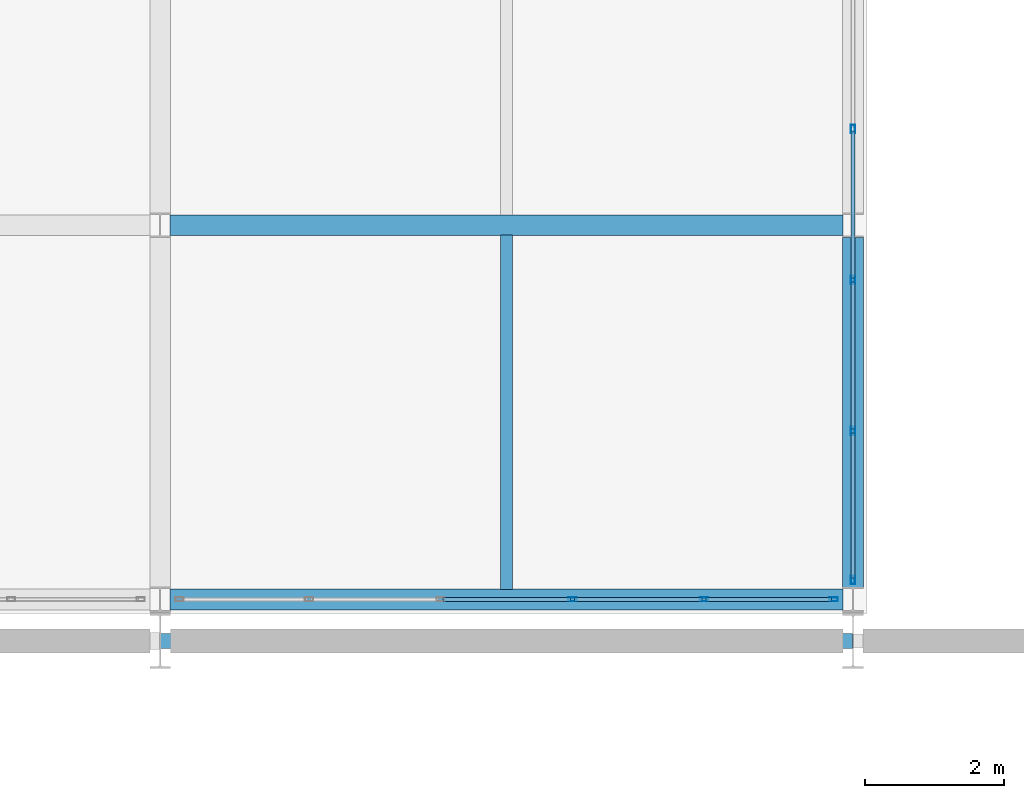
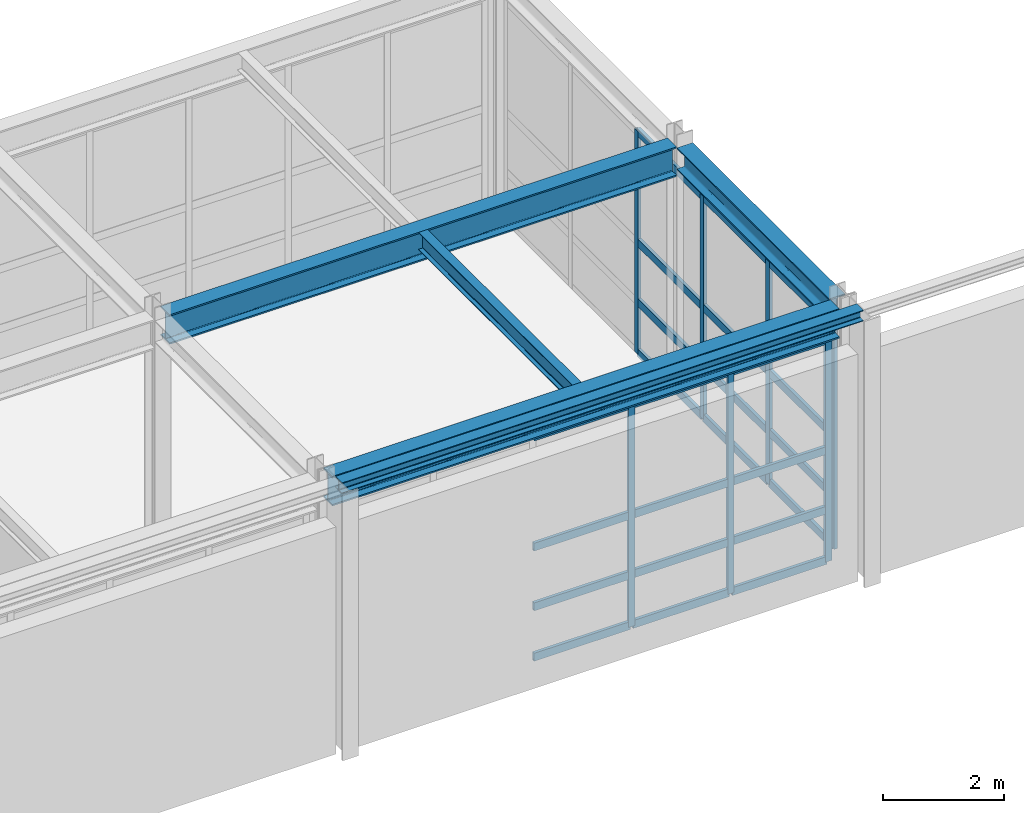
# One storey, part 123 of 210: 31 members, 5 beams, 2 elements without a shape of their own.
"""IFC4 building model written with IfcOpenShell, lengths in metres."""

from ifc_helpers import new_model, si_unit, direction, frame, origin, origin_2d, place, context, subcontext, project, spatial, hollow_rectangle, i_section, extrude, material, material_profile, profile_set, type_object, element, aggregate, save


model = new_model("IFC4")

# Units and contexts
model_context = context("Model", 3, precision=1e-05, world=origin(), true_north=direction((0.0, 1.0)))
body_context = subcontext(model_context, "Body", "Model", "MODEL_VIEW")
ifc_project = project(units=[si_unit("LENGTHUNIT", "METRE"), si_unit("AREAUNIT", "SQUARE_METRE"), si_unit("VOLUMEUNIT", "CUBIC_METRE"), si_unit("PLANEANGLEUNIT", "RADIAN"), si_unit("MASSUNIT", "GRAM", prefix="KILO")], contexts=[model_context])

# Site, building, storey
site_placement = place(None, origin())
site = spatial("IfcSite", under=ifc_project, at=site_placement, CompositionType="ELEMENT")
building_placement = place(site_placement, origin())
building = spatial("IfcBuilding", under=site, at=building_placement, Name="Kaldris Quays Convention Centre", CompositionType="ELEMENT")
storey_placement = place(building_placement, frame((0.0, 0.0, 6.0)))
storey = spatial("IfcBuildingStorey", under=building, at=storey_placement, Name="L01", CompositionType="ELEMENT", Elevation=6.0)

# Curtain wall, members
ifc_material_1 = material(Name="Anodized aluminium AW-6060 and triple glazing", Category="aluminium")
curtain_wall_type = type_object("IfcCurtainWallType", Name="UNITISED CURTAIN WALL CW06", PredefinedType="NOTDEFINED", material=ifc_material_1)
curtain_wall_1_placement = place(storey_placement, origin())
curtain_wall_1 = element("IfcCurtainWall", 1, at=curtain_wall_1_placement, inside=storey, type_object=curtain_wall_type, Name="L01 Unitised Curtain Wall CW06 164", PredefinedType="NOTDEFINED")
ifc_material_2 = material(Name="Anodized aluminium AW-6060", Category="aluminium")
ifc_material_profile_1 = material_profile(ifc_material_2, hollow_rectangle(XDim=0.06005859375, YDim=0.1201171875, WallThickness=0.00390625, at=origin_2d()), Name="RHS 120x60x4")
ifc_profile_set_1 = profile_set([ifc_material_profile_1], Name="Anodized aluminium AW-6060")
member_type_1 = type_object("IfcMemberType", Name="CURTAIN MULLION CWM3", PredefinedType="MULLION", material=ifc_profile_set_1)
member_1_placement = place(storey_placement, frame((189.949951171875, 104.60009765625, 0.0), z_axis=(0.0, 0.0, 1.0), x_axis=(0.0, 1.0, 0.0)))
member_1 = element("IfcMember", 2, at=member_1_placement, type_object=member_type_1, Name="CW06 mullion 4", PredefinedType="MULLION", context=body_context, shape_type="SweptSolid", body=[
    extrude(hollow_rectangle(XDim=0.06005859375, YDim=0.1201171875, WallThickness=0.00390625, at=origin_2d()), origin(), (0.0, 0.0, 1.0), 4.51806640625),
])
member_2_placement = place(storey_placement, frame((191.85009765625, 104.60009765625, 0.0), z_axis=(0.0, 0.0, 1.0), x_axis=(0.0, 1.0, 0.0)))
member_2 = element("IfcMember", 3, at=member_2_placement, type_object=member_type_1, Name="CW06 mullion 5", PredefinedType="MULLION", context=body_context, shape_type="SweptSolid", body=[
    extrude(hollow_rectangle(XDim=0.06005859375, YDim=0.1201171875, WallThickness=0.00390625, at=origin_2d()), origin(), (0.0, 0.0, 1.0), 4.51806640625),
])
member_3_placement = place(storey_placement, frame((193.719970703125, 104.60009765625, 0.0), z_axis=(0.0, 0.0, 1.0), x_axis=(0.0, 1.0, 0.0)))
member_3 = element("IfcMember", 4, at=member_3_placement, type_object=member_type_1, Name="CW06 mullion 6", PredefinedType="MULLION", context=body_context, shape_type="SweptSolid", body=[
    extrude(hollow_rectangle(XDim=0.06005859375, YDim=0.1201171875, WallThickness=0.00390625, at=origin_2d()), origin(), (0.0, 0.0, 1.0), 4.51806640625),
])

curtain_wall_2_placement = place(storey_placement, origin())
curtain_wall_2 = element("IfcCurtainWall", 5, at=curtain_wall_2_placement, inside=storey, type_object=curtain_wall_type, Name="L01 Unitised Curtain Wall CW06 165", PredefinedType="NOTDEFINED")
member_4_placement = place(storey_placement, frame((194.0, 104.8798828125, 0.0), z_axis=(0.0, 0.0, 1.0), x_axis=(-1.0, 0.0, 0.0)))
member_4 = element("IfcMember", 6, at=member_4_placement, type_object=member_type_1, Name="CW06 mullion 1", PredefinedType="MULLION", context=body_context, shape_type="SweptSolid", body=[
    extrude(hollow_rectangle(XDim=0.06005859375, YDim=0.1201171875, WallThickness=0.00390625, at=origin_2d()), origin(), (0.0, 0.0, 1.0), 4.51806640625),
])
member_5_placement = place(storey_placement, frame((194.0, 107.030029296875, 0.0), z_axis=(0.0, 0.0, 1.0), x_axis=(-1.0, 0.0, 0.0)))
member_5 = element("IfcMember", 7, at=member_5_placement, type_object=member_type_1, Name="CW06 mullion 2", PredefinedType="MULLION", context=body_context, shape_type="SweptSolid", body=[
    extrude(hollow_rectangle(XDim=0.06005859375, YDim=0.1201171875, WallThickness=0.00390625, at=origin_2d()), origin(), (0.0, 0.0, 1.0), 4.51806640625),
])
member_6_placement = place(storey_placement, frame((194.0, 109.2099609375, 0.0), z_axis=(0.0, 0.0, 1.0), x_axis=(-1.0, 0.0, 0.0)))
member_6 = element("IfcMember", 8, at=member_6_placement, type_object=member_type_1, Name="CW06 mullion 3", PredefinedType="MULLION", context=body_context, shape_type="SweptSolid", body=[
    extrude(hollow_rectangle(XDim=0.06005859375, YDim=0.1201171875, WallThickness=0.00390625, at=origin_2d()), origin(), (0.0, 0.0, 1.0), 4.51806640625),
])
member_7_placement = place(storey_placement, frame((194.0, 111.389892578125, 0.0), z_axis=(0.0, 0.0, 1.0), x_axis=(-1.0, 0.0, 0.0)))
member_7 = element("IfcMember", 9, at=member_7_placement, type_object=member_type_1, Name="CW06 mullion 4", PredefinedType="MULLION", context=body_context, shape_type="SweptSolid", body=[
    extrude(hollow_rectangle(XDim=0.06005859375, YDim=0.1201171875, WallThickness=0.00390625, at=origin_2d()), origin(), (0.0, 0.0, 1.0), 4.51806640625),
])

# Member
ifc_material_profile_2 = material_profile(ifc_material_2, hollow_rectangle(XDim=0.06005859375, YDim=0.159912109375, WallThickness=0.00390625, at=origin_2d()), Name="RHS 160x60x4")
ifc_profile_set_2 = profile_set([ifc_material_profile_2], Name="Anodized aluminium AW-6060")
member_type_2 = type_object("IfcMemberType", Name="CURTAIN TRANSOM CWT2", PredefinedType="USERDEFINED", material=ifc_profile_set_2)
member_8_placement = place(storey_placement, frame((188.080078125, 104.60009765625, 0.030029296875), z_axis=(1.0, 0.0, 0.0), x_axis=(0.0, 1.0, 0.0)))
member_8 = element("IfcMember", 10, at=member_8_placement, type_object=member_type_2, Name="CW06 transom 3.1", ObjectType="TRANSOM", PredefinedType="USERDEFINED", context=body_context, shape_type="SweptSolid", body=[
    extrude(hollow_rectangle(XDim=0.06005859375, YDim=0.159912109375, WallThickness=0.00390625, at=origin_2d()), origin(), (0.0, 0.0, 1.0), 1.83984375),
])

member_9_placement = place(storey_placement, frame((188.080078125, 104.60009765625, 1.050048828125), z_axis=(1.0, 0.0, 0.0), x_axis=(0.0, 1.0, 0.0)))
member_9 = element("IfcMember", 11, at=member_9_placement, type_object=member_type_2, Name="CW06 transom 3.2", ObjectType="TRANSOM", PredefinedType="USERDEFINED", context=body_context, shape_type="SweptSolid", body=[
    extrude(hollow_rectangle(XDim=0.06005859375, YDim=0.159912109375, WallThickness=0.00390625, at=origin_2d()), origin(), (0.0, 0.0, 1.0), 1.83984375),
])

member_10_placement = place(storey_placement, frame((188.080078125, 104.60009765625, 2.259033203125), z_axis=(1.0, 0.0, 0.0), x_axis=(0.0, 1.0, 0.0)))
member_10 = element("IfcMember", 12, at=member_10_placement, type_object=member_type_2, Name="CW06 transom 3.3", ObjectType="TRANSOM", PredefinedType="USERDEFINED", context=body_context, shape_type="SweptSolid", body=[
    extrude(hollow_rectangle(XDim=0.06005859375, YDim=0.159912109375, WallThickness=0.00390625, at=origin_2d()), origin(), (0.0, 0.0, 1.0), 1.83984375),
])

member_11_placement = place(storey_placement, frame((188.080078125, 104.60009765625, 4.488037109375), z_axis=(1.0, 0.0, 0.0), x_axis=(0.0, 1.0, 0.0)))
member_11 = element("IfcMember", 13, at=member_11_placement, type_object=member_type_2, Name="CW06 transom 3.4", ObjectType="TRANSOM", PredefinedType="USERDEFINED", context=body_context, shape_type="SweptSolid", body=[
    extrude(hollow_rectangle(XDim=0.06005859375, YDim=0.159912109375, WallThickness=0.00390625, at=origin_2d()), origin(), (0.0, 0.0, 1.0), 1.83984375),
])

member_12_placement = place(storey_placement, frame((189.97998046875, 104.60009765625, 0.030029296875), z_axis=(1.0, 0.0, 0.0), x_axis=(0.0, 1.0, 0.0)))
member_12 = element("IfcMember", 14, at=member_12_placement, type_object=member_type_2, Name="CW06 transom 4.1", ObjectType="TRANSOM", PredefinedType="USERDEFINED", context=body_context, shape_type="SweptSolid", body=[
    extrude(hollow_rectangle(XDim=0.06005859375, YDim=0.159912109375, WallThickness=0.00390625, at=origin_2d()), origin(), (0.0, 0.0, 1.0), 1.840087890625),
])

member_13_placement = place(storey_placement, frame((189.97998046875, 104.60009765625, 1.050048828125), z_axis=(1.0, 0.0, 0.0), x_axis=(0.0, 1.0, 0.0)))
member_13 = element("IfcMember", 15, at=member_13_placement, type_object=member_type_2, Name="CW06 transom 4.2", ObjectType="TRANSOM", PredefinedType="USERDEFINED", context=body_context, shape_type="SweptSolid", body=[
    extrude(hollow_rectangle(XDim=0.06005859375, YDim=0.159912109375, WallThickness=0.00390625, at=origin_2d()), origin(), (0.0, 0.0, 1.0), 1.840087890625),
])

member_14_placement = place(storey_placement, frame((189.97998046875, 104.60009765625, 2.259033203125), z_axis=(1.0, 0.0, 0.0), x_axis=(0.0, 1.0, 0.0)))
member_14 = element("IfcMember", 16, at=member_14_placement, type_object=member_type_2, Name="CW06 transom 4.3", ObjectType="TRANSOM", PredefinedType="USERDEFINED", context=body_context, shape_type="SweptSolid", body=[
    extrude(hollow_rectangle(XDim=0.06005859375, YDim=0.159912109375, WallThickness=0.00390625, at=origin_2d()), origin(), (0.0, 0.0, 1.0), 1.840087890625),
])

member_15_placement = place(storey_placement, frame((189.97998046875, 104.60009765625, 4.488037109375), z_axis=(1.0, 0.0, 0.0), x_axis=(0.0, 1.0, 0.0)))
member_15 = element("IfcMember", 17, at=member_15_placement, type_object=member_type_2, Name="CW06 transom 4.4", ObjectType="TRANSOM", PredefinedType="USERDEFINED", context=body_context, shape_type="SweptSolid", body=[
    extrude(hollow_rectangle(XDim=0.06005859375, YDim=0.159912109375, WallThickness=0.00390625, at=origin_2d()), origin(), (0.0, 0.0, 1.0), 1.840087890625),
])

member_16_placement = place(storey_placement, frame((191.8798828125, 104.60009765625, 0.030029296875), z_axis=(1.0, 0.0, 0.0), x_axis=(0.0, 1.0, 0.0)))
member_16 = element("IfcMember", 18, at=member_16_placement, type_object=member_type_2, Name="CW06 transom 5.1", ObjectType="TRANSOM", PredefinedType="USERDEFINED", context=body_context, shape_type="SweptSolid", body=[
    extrude(hollow_rectangle(XDim=0.06005859375, YDim=0.159912109375, WallThickness=0.00390625, at=origin_2d()), origin(), (0.0, 0.0, 1.0), 1.81005859375),
])

member_17_placement = place(storey_placement, frame((191.8798828125, 104.60009765625, 1.050048828125), z_axis=(1.0, 0.0, 0.0), x_axis=(0.0, 1.0, 0.0)))
member_17 = element("IfcMember", 19, at=member_17_placement, type_object=member_type_2, Name="CW06 transom 5.2", ObjectType="TRANSOM", PredefinedType="USERDEFINED", context=body_context, shape_type="SweptSolid", body=[
    extrude(hollow_rectangle(XDim=0.06005859375, YDim=0.159912109375, WallThickness=0.00390625, at=origin_2d()), origin(), (0.0, 0.0, 1.0), 1.81005859375),
])

member_18_placement = place(storey_placement, frame((191.8798828125, 104.60009765625, 2.259033203125), z_axis=(1.0, 0.0, 0.0), x_axis=(0.0, 1.0, 0.0)))
member_18 = element("IfcMember", 20, at=member_18_placement, type_object=member_type_2, Name="CW06 transom 5.3", ObjectType="TRANSOM", PredefinedType="USERDEFINED", context=body_context, shape_type="SweptSolid", body=[
    extrude(hollow_rectangle(XDim=0.06005859375, YDim=0.159912109375, WallThickness=0.00390625, at=origin_2d()), origin(), (0.0, 0.0, 1.0), 1.81005859375),
])

member_19_placement = place(storey_placement, frame((191.8798828125, 104.60009765625, 4.488037109375), z_axis=(1.0, 0.0, 0.0), x_axis=(0.0, 1.0, 0.0)))
member_19 = element("IfcMember", 21, at=member_19_placement, type_object=member_type_2, Name="CW06 transom 5.4", ObjectType="TRANSOM", PredefinedType="USERDEFINED", context=body_context, shape_type="SweptSolid", body=[
    extrude(hollow_rectangle(XDim=0.06005859375, YDim=0.159912109375, WallThickness=0.00390625, at=origin_2d()), origin(), (0.0, 0.0, 1.0), 1.81005859375),
])

aggregate(curtain_wall_1, [member_1, member_2, member_3, member_8, member_9, member_10, member_11, member_12, member_13, member_14, member_15, member_16, member_17, member_18, member_19])

member_20_placement = place(storey_placement, frame((194.0, 104.909912109375, 0.030029296875), z_axis=(0.0, 1.0, 0.0), x_axis=(-1.0, 0.0, 0.0)))
member_20 = element("IfcMember", 22, at=member_20_placement, type_object=member_type_2, Name="CW06 transom 1.1", ObjectType="TRANSOM", PredefinedType="USERDEFINED", context=body_context, shape_type="SweptSolid", body=[
    extrude(hollow_rectangle(XDim=0.06005859375, YDim=0.159912109375, WallThickness=0.00390625, at=origin_2d()), origin(), (0.0, 0.0, 1.0), 2.090087890625),
])

member_21_placement = place(storey_placement, frame((194.0, 104.909912109375, 1.050048828125), z_axis=(0.0, 1.0, 0.0), x_axis=(-1.0, 0.0, 0.0)))
member_21 = element("IfcMember", 23, at=member_21_placement, type_object=member_type_2, Name="CW06 transom 1.2", ObjectType="TRANSOM", PredefinedType="USERDEFINED", context=body_context, shape_type="SweptSolid", body=[
    extrude(hollow_rectangle(XDim=0.06005859375, YDim=0.159912109375, WallThickness=0.00390625, at=origin_2d()), origin(), (0.0, 0.0, 1.0), 2.090087890625),
])

member_22_placement = place(storey_placement, frame((194.0, 104.909912109375, 2.259033203125), z_axis=(0.0, 1.0, 0.0), x_axis=(-1.0, 0.0, 0.0)))
member_22 = element("IfcMember", 24, at=member_22_placement, type_object=member_type_2, Name="CW06 transom 1.3", ObjectType="TRANSOM", PredefinedType="USERDEFINED", context=body_context, shape_type="SweptSolid", body=[
    extrude(hollow_rectangle(XDim=0.06005859375, YDim=0.159912109375, WallThickness=0.00390625, at=origin_2d()), origin(), (0.0, 0.0, 1.0), 2.090087890625),
])

member_23_placement = place(storey_placement, frame((194.0, 104.909912109375, 4.488037109375), z_axis=(0.0, 1.0, 0.0), x_axis=(-1.0, 0.0, 0.0)))
member_23 = element("IfcMember", 25, at=member_23_placement, type_object=member_type_2, Name="CW06 transom 1.4", ObjectType="TRANSOM", PredefinedType="USERDEFINED", context=body_context, shape_type="SweptSolid", body=[
    extrude(hollow_rectangle(XDim=0.06005859375, YDim=0.159912109375, WallThickness=0.00390625, at=origin_2d()), origin(), (0.0, 0.0, 1.0), 2.090087890625),
])

member_24_placement = place(storey_placement, frame((194.0, 107.06005859375, 0.030029296875), z_axis=(0.0, 1.0, 0.0), x_axis=(-1.0, 0.0, 0.0)))
member_24 = element("IfcMember", 26, at=member_24_placement, type_object=member_type_2, Name="CW06 transom 2.1", ObjectType="TRANSOM", PredefinedType="USERDEFINED", context=body_context, shape_type="SweptSolid", body=[
    extrude(hollow_rectangle(XDim=0.06005859375, YDim=0.159912109375, WallThickness=0.00390625, at=origin_2d()), origin(), (0.0, 0.0, 1.0), 2.119873046875),
])

member_25_placement = place(storey_placement, frame((194.0, 107.06005859375, 1.050048828125), z_axis=(0.0, 1.0, 0.0), x_axis=(-1.0, 0.0, 0.0)))
member_25 = element("IfcMember", 27, at=member_25_placement, type_object=member_type_2, Name="CW06 transom 2.2", ObjectType="TRANSOM", PredefinedType="USERDEFINED", context=body_context, shape_type="SweptSolid", body=[
    extrude(hollow_rectangle(XDim=0.06005859375, YDim=0.159912109375, WallThickness=0.00390625, at=origin_2d()), origin(), (0.0, 0.0, 1.0), 2.119873046875),
])

member_26_placement = place(storey_placement, frame((194.0, 107.06005859375, 2.259033203125), z_axis=(0.0, 1.0, 0.0), x_axis=(-1.0, 0.0, 0.0)))
member_26 = element("IfcMember", 28, at=member_26_placement, type_object=member_type_2, Name="CW06 transom 2.3", ObjectType="TRANSOM", PredefinedType="USERDEFINED", context=body_context, shape_type="SweptSolid", body=[
    extrude(hollow_rectangle(XDim=0.06005859375, YDim=0.159912109375, WallThickness=0.00390625, at=origin_2d()), origin(), (0.0, 0.0, 1.0), 2.119873046875),
])

member_27_placement = place(storey_placement, frame((194.0, 107.06005859375, 4.488037109375), z_axis=(0.0, 1.0, 0.0), x_axis=(-1.0, 0.0, 0.0)))
member_27 = element("IfcMember", 29, at=member_27_placement, type_object=member_type_2, Name="CW06 transom 2.4", ObjectType="TRANSOM", PredefinedType="USERDEFINED", context=body_context, shape_type="SweptSolid", body=[
    extrude(hollow_rectangle(XDim=0.06005859375, YDim=0.159912109375, WallThickness=0.00390625, at=origin_2d()), origin(), (0.0, 0.0, 1.0), 2.119873046875),
])

member_28_placement = place(storey_placement, frame((194.0, 109.239990234375, 0.030029296875), z_axis=(0.0, 1.0, 0.0), x_axis=(-1.0, 0.0, 0.0)))
member_28 = element("IfcMember", 30, at=member_28_placement, type_object=member_type_2, Name="CW06 transom 3.1", ObjectType="TRANSOM", PredefinedType="USERDEFINED", context=body_context, shape_type="SweptSolid", body=[
    extrude(hollow_rectangle(XDim=0.06005859375, YDim=0.159912109375, WallThickness=0.00390625, at=origin_2d()), origin(), (0.0, 0.0, 1.0), 2.1201171875),
])

member_29_placement = place(storey_placement, frame((194.0, 109.239990234375, 1.050048828125), z_axis=(0.0, 1.0, 0.0), x_axis=(-1.0, 0.0, 0.0)))
member_29 = element("IfcMember", 31, at=member_29_placement, type_object=member_type_2, Name="CW06 transom 3.2", ObjectType="TRANSOM", PredefinedType="USERDEFINED", context=body_context, shape_type="SweptSolid", body=[
    extrude(hollow_rectangle(XDim=0.06005859375, YDim=0.159912109375, WallThickness=0.00390625, at=origin_2d()), origin(), (0.0, 0.0, 1.0), 2.1201171875),
])

member_30_placement = place(storey_placement, frame((194.0, 109.239990234375, 2.259033203125), z_axis=(0.0, 1.0, 0.0), x_axis=(-1.0, 0.0, 0.0)))
member_30 = element("IfcMember", 32, at=member_30_placement, type_object=member_type_2, Name="CW06 transom 3.3", ObjectType="TRANSOM", PredefinedType="USERDEFINED", context=body_context, shape_type="SweptSolid", body=[
    extrude(hollow_rectangle(XDim=0.06005859375, YDim=0.159912109375, WallThickness=0.00390625, at=origin_2d()), origin(), (0.0, 0.0, 1.0), 2.1201171875),
])

member_31_placement = place(storey_placement, frame((194.0, 109.239990234375, 4.488037109375), z_axis=(0.0, 1.0, 0.0), x_axis=(-1.0, 0.0, 0.0)))
member_31 = element("IfcMember", 33, at=member_31_placement, type_object=member_type_2, Name="CW06 transom 3.4", ObjectType="TRANSOM", PredefinedType="USERDEFINED", context=body_context, shape_type="SweptSolid", body=[
    extrude(hollow_rectangle(XDim=0.06005859375, YDim=0.159912109375, WallThickness=0.00390625, at=origin_2d()), origin(), (0.0, 0.0, 1.0), 2.1201171875),
])

aggregate(curtain_wall_2, [member_4, member_5, member_6, member_7, member_20, member_21, member_22, member_23, member_24, member_25, member_26, member_27, member_28, member_29, member_30, member_31])

# Beams
ifc_material_3 = material(Name="Steel S355J2", Category="steel")
ifc_material_profile_3 = material_profile(ifc_material_3, i_section(OverallWidth=0.300048828125, OverallDepth=0.60009765625, WebThickness=0.015380859375, FlangeThickness=0.030029296875, FilletRadius=0.027099609375, at=origin_2d()), Name="HEB 600")
ifc_profile_set_3 = profile_set([ifc_material_profile_3], Name="Steel S355J2")
beam_type_1 = type_object("IfcBeamType", Name="STRUCTURAL BEAM BM05", PredefinedType="BEAM", material=ifc_profile_set_3)
for number, where, z_axis, x_axis, name in (
    (34, (184.14404296875, 104.60009765625, 4.843017578125), (1.0, 0.0, 0.0), (0.0, 1.0, 0.0), "L01 Girder BM05 45"),
    (35, (184.14404296875, 110.0, 4.843017578125), (1.0, 0.0, 0.0), (0.0, 1.0, 0.0), "L01 Girder BM05 50"),
):
    element("IfcBeam", number, at=place(storey_placement, frame(where, z_axis=z_axis, x_axis=x_axis)), inside=storey, type_object=beam_type_1, Name=name, PredefinedType="BEAM", context=body_context, shape_type="SweptSolid", body=[
        extrude(i_section(OverallWidth=0.300048828125, OverallDepth=0.60009765625, WebThickness=0.015380859375, FlangeThickness=0.030029296875, FilletRadius=0.027099609375, at=origin_2d()), origin(), (0.0, 0.0, 1.0), 9.7119140625),
    ])
ifc_material_profile_4 = material_profile(ifc_material_3, i_section(OverallWidth=0.300048828125, OverallDepth=0.449951171875, WebThickness=0.013916015625, FlangeThickness=0.02587890625, FilletRadius=0.027099609375, at=origin_2d()), Name="HEB 450")
ifc_profile_set_4 = profile_set([ifc_material_profile_4], Name="Steel S355J2")
beam_type_2 = type_object("IfcBeamType", Name="STRUCTURAL BEAM BM07", PredefinedType="BEAM", material=ifc_profile_set_4)
beam_1_placement = place(storey_placement, frame((194.0, 104.77392578125, 4.91796875), z_axis=(0.0, 1.0, 0.0), x_axis=(-1.0, 0.0, 0.0)))
element("IfcBeam", 36, at=beam_1_placement, inside=storey, type_object=beam_type_2, Name="L01 Girder BM07 108", PredefinedType="BEAM", context=body_context, shape_type="SweptSolid", body=[
    extrude(i_section(OverallWidth=0.300048828125, OverallDepth=0.449951171875, WebThickness=0.013916015625, FlangeThickness=0.02587890625, FilletRadius=0.027099609375, at=origin_2d()), origin(), (0.0, 0.0, 1.0), 5.052001953125),
])
ifc_material_profile_5 = material_profile(ifc_material_3, i_section(OverallWidth=0.169921875, OverallDepth=0.360107421875, WebThickness=0.008056640625, FlangeThickness=0.0126953125, FilletRadius=0.01806640625, at=origin_2d()), Name="IPE 360")
ifc_profile_set_5 = profile_set([ifc_material_profile_5], Name="Steel S355J2")
beam_type_3 = type_object("IfcBeamType", Name="STRUCTURAL BEAM JT03", PredefinedType="JOIST", material=ifc_profile_set_5)
beam_2_placement = place(storey_placement, frame((189.0, 104.743896484375, 4.962890625), z_axis=(0.0, 1.0, 0.0), x_axis=(-1.0, 0.0, 0.0)))
element("IfcBeam", 37, at=beam_2_placement, inside=storey, type_object=beam_type_3, Name="L01 Secondary Joist JT03 30", PredefinedType="JOIST", context=body_context, shape_type="SweptSolid", body=[
    extrude(i_section(OverallWidth=0.169921875, OverallDepth=0.360107421875, WebThickness=0.008056640625, FlangeThickness=0.0126953125, FilletRadius=0.01806640625, at=origin_2d()), origin(), (0.0, 0.0, 1.0), 5.112060546875),
])
ifc_material_profile_6 = material_profile(ifc_material_3, i_section(OverallWidth=0.219970703125, OverallDepth=0.219970703125, WebThickness=0.009521484375, FlangeThickness=0.01611328125, FilletRadius=0.01806640625, at=origin_2d()), Name="HEB 220")
ifc_profile_set_6 = profile_set([ifc_material_profile_6], Name="Steel S355J2")
beam_type_4 = type_object("IfcBeamType", Name="STRUCTURAL BEAM SP05", PredefinedType="SPANDREL", material=ifc_profile_set_6)
beam_3_placement = place(storey_placement, frame((184.006103515625, 104.0, 5.2900390625), z_axis=(1.0, 0.0, 0.0), x_axis=(0.0, 1.0, 0.0)))
element("IfcBeam", 38, at=beam_3_placement, inside=storey, type_object=beam_type_4, Name="L01 Perimeter Wall-Bearing Spandrel SP05 41", PredefinedType="SPANDREL", context=body_context, shape_type="SweptSolid", body=[
    extrude(i_section(OverallWidth=0.219970703125, OverallDepth=0.219970703125, WebThickness=0.009521484375, FlangeThickness=0.01611328125, FilletRadius=0.01806640625, at=origin_2d()), origin(), (0.0, 0.0, 1.0), 9.98779296875),
])

save(model, "model.ifc")
